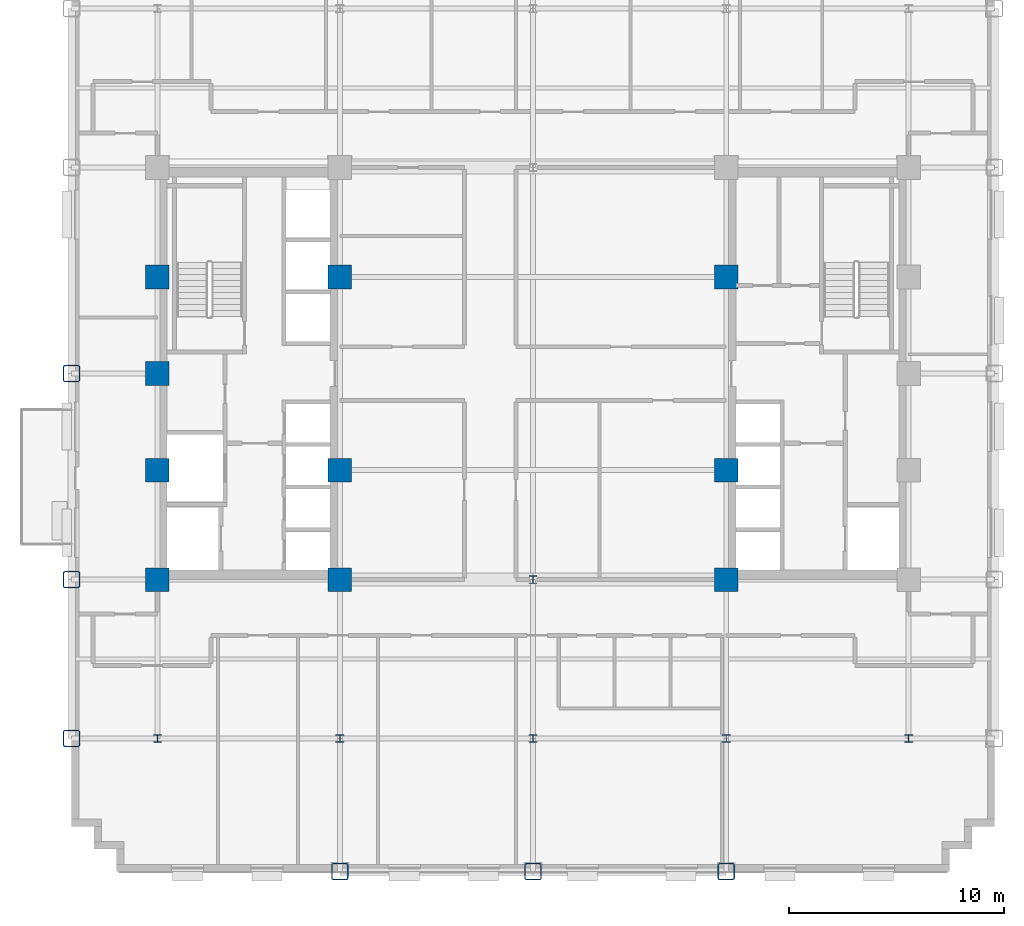
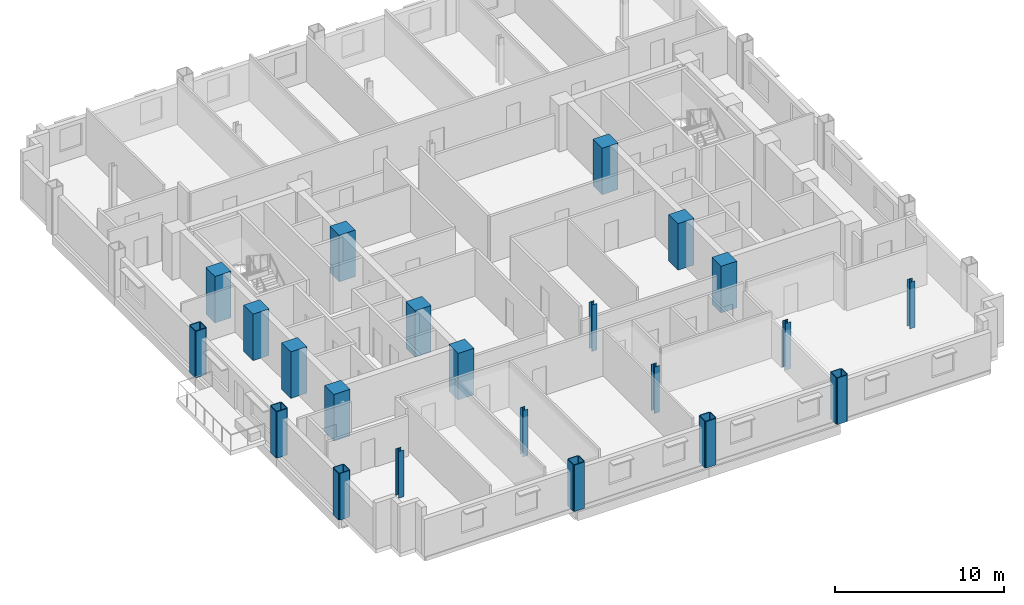
# One storey, part 1 of 14: 22 columns.
"""IFC4 building model written with IfcOpenShell, lengths in metres."""

from ifc_helpers import new_model, si_unit, direction, frame, origin, origin_2d, place, context, subcontext, project, spatial, rectangle, hollow_rectangle, i_section, extrude, material, material_profile, profile_set, type_object, element, save


model = new_model("IFC4")

# Units and contexts
model_context = context("Model", 3, precision=1e-05, world=origin(), true_north=direction((0.0, 1.0)))
body_context = subcontext(model_context, "Body", "Model", "MODEL_VIEW")
ifc_project = project(units=[si_unit("LENGTHUNIT", "METRE"), si_unit("AREAUNIT", "SQUARE_METRE"), si_unit("VOLUMEUNIT", "CUBIC_METRE"), si_unit("PLANEANGLEUNIT", "RADIAN"), si_unit("MASSUNIT", "GRAM", prefix="KILO")], contexts=[model_context])

# Site, building, storey
site_placement = place(None, origin())
site = spatial("IfcSite", under=ifc_project, at=site_placement, CompositionType="ELEMENT")
building_placement = place(site_placement, origin())
building = spatial("IfcBuilding", under=site, at=building_placement, Name="Nuvemarco Arch Tower", CompositionType="ELEMENT")
storey_placement = place(building_placement, frame((0.0, 0.0, 67.75)))
storey = spatial("IfcBuildingStorey", under=building, at=storey_placement, Name="L17", CompositionType="ELEMENT", Elevation=67.75)

# Columns
ifc_material_1 = material(Name="Concrete C60/75", Category="concrete")
ifc_material_profile_1 = material_profile(ifc_material_1, rectangle(XDim=1.10009765625, YDim=1.10009765625, at=origin_2d()), Name="RC-COL-1100x1100")
ifc_profile_set_1 = profile_set([ifc_material_profile_1], Name="Concrete C60/75")
column_type_1 = type_object("IfcColumnType", Name="COL-CORE-1100", PredefinedType="COLUMN", material=ifc_profile_set_1)
for number, where, z_axis, x_axis, name in (
    (1, (-17.5, -9.60009765625, 0.0), (0.0, 0.0, 1.0), (1.0, 0.0, 0.0), "L17 column CC_-17.5_-9.6"),
    (2, (-17.5, -4.5, 0.0), (0.0, 0.0, 1.0), (1.0, 0.0, 0.0), "L17 column CC_-17.5_-4.5"),
    (3, (-17.5, 4.5, 0.0), (0.0, 0.0, 1.0), (1.0, 0.0, 0.0), "L17 column CC_-17.5_+4.5"),
    (4, (-9.0, -9.60009765625, 0.0), (0.0, 0.0, 1.0), (1.0, 0.0, 0.0), "L17 column CC_-9.0_-9.6"),
    (5, (-9.0, -4.5, 0.0), (0.0, 0.0, 1.0), (1.0, 0.0, 0.0), "L17 column CC_-9.0_-4.5"),
    (6, (-9.0, 4.5, 0.0), (0.0, 0.0, 1.0), (1.0, 0.0, 0.0), "L17 column CC_-9.0_+4.5"),
    (7, (9.0, -9.60009765625, 0.0), (0.0, 0.0, 1.0), (1.0, 0.0, 0.0), "L17 column CC_+9.0_-9.6"),
    (8, (9.0, -4.5, 0.0), (0.0, 0.0, 1.0), (1.0, 0.0, 0.0), "L17 column CC_+9.0_-4.5"),
    (9, (9.0, 4.5, 0.0), (0.0, 0.0, 1.0), (1.0, 0.0, 0.0), "L17 column CC_+9.0_+4.5"),
    (10, (-17.5, 0.0, 0.0), (0.0, 0.0, 1.0), (1.0, 0.0, 0.0), "L17 column CC_-17.5_+0.0"),
):
    element("IfcColumn", number, at=place(storey_placement, frame(where, z_axis=z_axis, x_axis=x_axis)), inside=storey, type_object=column_type_1, Name=name, PredefinedType="COLUMN", context=body_context, shape_type="SweptSolid", body=[
        extrude(rectangle(XDim=1.10009765625, YDim=1.10009765625, at=origin_2d()), origin(), (0.0, 0.0, 1.0), 3.3701171875),
    ])
ifc_material_2 = material(Name="Steel S460", Category="steel")
ifc_material_profile_2 = material_profile(ifc_material_2, hollow_rectangle(XDim=0.800048828125, YDim=0.800048828125, WallThickness=0.054931640625, InnerFilletRadius=0.054931640625, OuterFilletRadius=0.110107421875, at=origin_2d()), Name="SHS800x800x55")
ifc_profile_set_2 = profile_set([ifc_material_profile_2], Name="Steel S460")
column_type_2 = type_object("IfcColumnType", Name="COL-EXO-800", PredefinedType="COLUMN", material=ifc_profile_set_2)
for number, where, z_axis, x_axis, name in (
    (11, (-21.5, -17.0, 0.0), (0.0, 0.0, 1.0), (1.0, 0.0, 0.0), "L17 column CX_-21.5_-17.0"),
    (12, (-21.5, -9.60009765625, 0.0), (0.0, 0.0, 1.0), (1.0, 0.0, 0.0), "L17 column CX_-21.5_-9.6"),
    (13, (-21.5, 0.0, 0.0), (0.0, 0.0, 1.0), (1.0, 0.0, 0.0), "L17 column CX_-21.5_+0.0"),
    (14, (-9.0, -23.199951171875, 0.0), (0.0, 0.0, 1.0), (1.0, 0.0, 0.0), "L17 column CY_-9.0_-23.2"),
    (15, (0.0, -23.199951171875, 0.0), (0.0, 0.0, 1.0), (1.0, 0.0, 0.0), "L17 column CY_+0.0_-23.2"),
    (16, (9.0, -23.199951171875, 0.0), (0.0, 0.0, 1.0), (1.0, 0.0, 0.0), "L17 column CY_+9.0_-23.2"),
):
    element("IfcColumn", number, at=place(storey_placement, frame(where, z_axis=z_axis, x_axis=x_axis)), inside=storey, type_object=column_type_2, Name=name, PredefinedType="COLUMN", context=body_context, shape_type="SweptSolid", body=[
        extrude(hollow_rectangle(XDim=0.800048828125, YDim=0.800048828125, WallThickness=0.054931640625, InnerFilletRadius=0.054931640625, OuterFilletRadius=0.110107421875, at=origin_2d()), origin(), (0.0, 0.0, 1.0), 3.3701171875),
    ])
ifc_material_3 = material(Name="Steel S355", Category="steel")
ifc_material_profile_3 = material_profile(ifc_material_3, i_section(OverallWidth=0.360107421875, OverallDepth=0.360107421875, WebThickness=0.0205078125, FlangeThickness=0.0205078125, FilletRadius=0.01806640625, at=origin_2d()), Name="HP360x174")
ifc_profile_set_3 = profile_set([ifc_material_profile_3], Name="Steel S355")
column_type_3 = type_object("IfcColumnType", Name="COL-STL-HP360", PredefinedType="COLUMN", material=ifc_profile_set_3)
for number, where, z_axis, x_axis, name in (
    (17, (0.0, -17.0, 0.0), (0.0, 0.0, 1.0), (1.0, 0.0, 0.0), "L17 column CI_+0.0_-17.0"),
    (18, (0.0, -9.60009765625, 0.0), (0.0, 0.0, 1.0), (1.0, 0.0, 0.0), "L17 column CI_+0.0_-9.6"),
    (19, (-17.5, -17.0, 0.0), (0.0, 0.0, 1.0), (1.0, 0.0, 0.0), "L17 column CI_-17.5_-17.0"),
    (20, (-9.0, -17.0, 0.0), (0.0, 0.0, 1.0), (1.0, 0.0, 0.0), "L17 column CI_-9.0_-17.0"),
    (21, (9.0, -17.0, 0.0), (0.0, 0.0, 1.0), (1.0, 0.0, 0.0), "L17 column CI_+9.0_-17.0"),
    (22, (17.5, -17.0, 0.0), (0.0, 0.0, 1.0), (1.0, 0.0, 0.0), "L17 column CI_+17.5_-17.0"),
):
    element("IfcColumn", number, at=place(storey_placement, frame(where, z_axis=z_axis, x_axis=x_axis)), inside=storey, type_object=column_type_3, Name=name, PredefinedType="COLUMN", context=body_context, shape_type="SweptSolid", body=[
        extrude(i_section(OverallWidth=0.360107421875, OverallDepth=0.360107421875, WebThickness=0.0205078125, FlangeThickness=0.0205078125, FilletRadius=0.01806640625, at=origin_2d()), origin(), (0.0, 0.0, 1.0), 3.3701171875),
    ])

save(model, "model.ifc")
